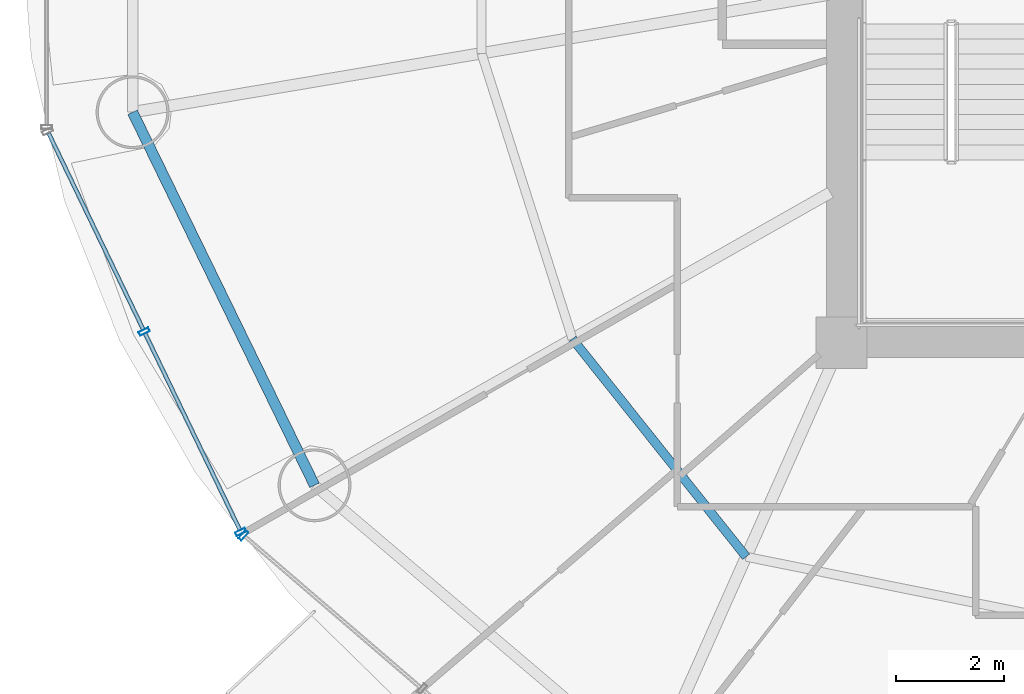
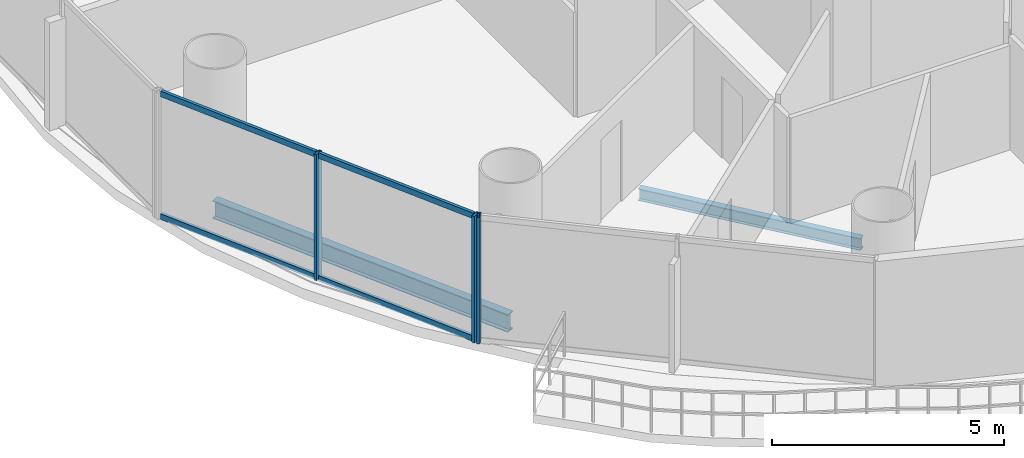
# One storey, part 3 of 27: 7 members, 2 beams, 2 elements without a shape of their own.
"""IFC4 building model written with IfcOpenShell, lengths in metres."""

import ifcopenshell
import ifcopenshell.guid

model = None  # the IFC model being written
_history = None  # IfcOwnerHistory: only IFC2X3 demands one
_inside = {}  # id of a spatial element -> (the spatial element, [elements in it])
_under = {}  # id of a project, library or spatial element -> (it, [spatial elements below it])
_declared = {}  # id of a project -> (the project, [libraries it declares])
_typed = {}  # id of a type object -> (the type object, [elements of that type])
_made_of = {}  # id of a material, layer set ... -> (it, [elements and type objects made of it])


def new_model(schema):
    """Start an empty IFC model of exactly this schema.

    Asked for "IFC4X3", IfcOpenShell would pick the latest addendum, in which some entities
    have other attributes; the version numbers below select the first issue.
    IFC2X3 requires an IfcOwnerHistory on every rooted entity: one is made here for all.
    """
    global model, _history
    if schema == "IFC4X3":
        model = ifcopenshell.file(schema_version=(4, 3, 0, 0))
    else:
        model = ifcopenshell.file(schema=schema)
    _inside.clear()
    _under.clear()
    _declared.clear()
    _typed.clear()
    _made_of.clear()
    _history = None
    if model.schema == "IFC2X3":
        org = make("IfcOrganization", Name="unknown")
        user = make(
            "IfcPersonAndOrganization",
            ThePerson=make("IfcPerson", FamilyName="unknown"),
            TheOrganization=org,
        )
        app = make(
            "IfcApplication",
            ApplicationDeveloper=org,
            Version="unknown",
            ApplicationFullName="unknown",
            ApplicationIdentifier="unknown",
        )
        _history = make(
            "IfcOwnerHistory",
            OwningUser=user,
            OwningApplication=app,
            ChangeAction="ADDED",
            CreationDate=0,
        )
    return model


def make(cls, **values):
    """One entity of the class cls with the attributes given. An attribute that is None is left unset."""
    return model.create_entity(
        cls, **{name: value for name, value in values.items() if value is not None}
    )


def rooted(cls, **values):
    """An entity with a GlobalId (a new one), such as an element, a storey or a relation."""
    return make(cls, GlobalId=ifcopenshell.guid.new(), OwnerHistory=_history, **values)


def si_unit(unit_type, name, prefix=None):
    """IfcSIUnit, for example si_unit("LENGTHUNIT", "METRE", prefix="MILLI")."""
    return make("IfcSIUnit", UnitType=unit_type, Prefix=prefix, Name=name)


def assignment(units):
    """IfcUnitAssignment: the units of a project."""
    return None if units is None else make("IfcUnitAssignment", Units=units)


def point(xyz):
    """IfcCartesianPoint."""
    return None if xyz is None else make("IfcCartesianPoint", Coordinates=xyz)


def direction(xyz):
    """IfcDirection."""
    return None if xyz is None else make("IfcDirection", DirectionRatios=xyz)


def frame(location, z_axis=None, x_axis=None):
    """IfcAxis2Placement3D, a coordinate frame: its origin and axes. An axis left out is left unset."""
    return make(
        "IfcAxis2Placement3D",
        Location=point(location),
        Axis=direction(z_axis),
        RefDirection=direction(x_axis),
    )


def frame_2d(location, x_axis=None):
    """IfcAxis2Placement2D, a coordinate frame in the plane: its origin and x axis."""
    return make(
        "IfcAxis2Placement2D", Location=point(location), RefDirection=direction(x_axis)
    )


def origin():
    """The frame at (0, 0, 0) with its axes left unset."""
    return frame((0.0, 0.0, 0.0))


def origin_2d():
    """The frame at (0, 0) in the plane with its x axis left unset."""
    return frame_2d((0.0, 0.0))


def place(relative_to, where):
    """IfcLocalPlacement: puts the frame where relative to a parent placement (None: the world)."""
    return make(
        "IfcLocalPlacement", PlacementRelTo=relative_to, RelativePlacement=where
    )


def context(
    kind, dimensions, precision=None, world=None, true_north=None, identifier=None
):
    """IfcGeometricRepresentationContext, for example the 3D "Model" context."""
    return make(
        "IfcGeometricRepresentationContext",
        ContextIdentifier=identifier,
        ContextType=kind,
        CoordinateSpaceDimension=dimensions,
        Precision=precision,
        WorldCoordinateSystem=world,
        TrueNorth=true_north,
    )


def subcontext(parent, identifier, kind, view, scale=None):
    """IfcGeometricRepresentationSubContext, for example "Body" below "Model"."""
    return make(
        "IfcGeometricRepresentationSubContext",
        ContextIdentifier=identifier,
        ContextType=kind,
        ParentContext=parent,
        TargetScale=scale,
        TargetView=view,
    )


def project(units=None, contexts=None):
    """IfcProject with its units and contexts."""
    return rooted(
        "IfcProject",
        Name="project",
        RepresentationContexts=contexts,
        UnitsInContext=assignment(units),
    )


def spatial(cls, under=None, at=None, **own):
    """A site, building, storey or space (cls), placed at a placement, below another one or the project."""
    s = rooted(cls, ObjectPlacement=at, **own)
    if under is not None:
        _under.setdefault(under.id(), (under, []))[1].append(s)
    return s


def profile(cls, at=None, kind="AREA", **sizes):
    """A parametric profile (cls). Its sizes go by their IFC names, for example OverallWidth=200.0."""
    return make(cls, ProfileType=kind, Position=at, **sizes)


def hollow_rectangle(**sizes):
    """IfcRectangleHollowProfileDef."""
    return profile("IfcRectangleHollowProfileDef", **sizes)


def i_section(**sizes):
    """IfcIShapeProfileDef."""
    return profile("IfcIShapeProfileDef", **sizes)


def extrude(swept, where, along, depth):
    """IfcExtrudedAreaSolid: the profile swept, set in the frame where, extruded along a direction by depth."""
    return make(
        "IfcExtrudedAreaSolid",
        SweptArea=swept,
        Position=where,
        ExtrudedDirection=direction(along),
        Depth=depth,
    )


def shape(context_of_items, identifier, shape_type, items):
    """IfcShapeRepresentation: the items that make up one representation, for example the "Body"."""
    return make(
        "IfcShapeRepresentation",
        ContextOfItems=context_of_items,
        RepresentationIdentifier=identifier,
        RepresentationType=shape_type,
        Items=items,
    )


def source(mapping_origin, context_of_items, identifier, shape_type, items):
    """IfcRepresentationMap: a shape defined once, which mapped items show again and again."""
    return make(
        "IfcRepresentationMap",
        MappingOrigin=mapping_origin,
        MappedRepresentation=shape(context_of_items, identifier, shape_type, items),
    )


def transform(
    local_origin,
    x_axis=None,
    y_axis=None,
    z_axis=None,
    scale=None,
    scale2=None,
    scale3=None,
    uniform=True,
):
    """IfcCartesianTransformationOperator3D, or its non-uniform kind. x_axis, y_axis, z_axis: its Axis1, 2, 3."""
    if uniform:
        return make(
            "IfcCartesianTransformationOperator3D",
            Axis1=direction(x_axis),
            Axis2=direction(y_axis),
            LocalOrigin=point(local_origin),
            Scale=scale,
            Axis3=direction(z_axis),
        )
    return make(
        "IfcCartesianTransformationOperator3DnonUniform",
        Axis1=direction(x_axis),
        Axis2=direction(y_axis),
        LocalOrigin=point(local_origin),
        Scale=scale,
        Axis3=direction(z_axis),
        Scale2=scale2,
        Scale3=scale3,
    )


def mapped(mapping_source, mapping_target):
    """IfcMappedItem: shows the shape of a source again, moved by a transform."""
    return make(
        "IfcMappedItem", MappingSource=mapping_source, MappingTarget=mapping_target
    )


def material(Name=None, Category=None):
    """IfcMaterial."""
    return make("IfcMaterial", Name=Name, Category=Category)


def material_profile(
    of_material, cross_section, Name=None, Category=None, Priority=None
):
    """IfcMaterialProfile: a cross section and its material."""
    return make(
        "IfcMaterialProfile",
        Name=Name,
        Material=of_material,
        Profile=cross_section,
        Priority=Priority,
        Category=Category,
    )


def profile_set(profiles, Name=None, composite=None):
    """IfcMaterialProfileSet."""
    return make(
        "IfcMaterialProfileSet",
        Name=Name,
        MaterialProfiles=profiles,
        CompositeProfile=composite,
    )


def made_of(thing, what):
    """Note that an element or type object is made of a material, layer set ...; save() writes the relation."""
    if what is not None:
        _made_of.setdefault(what.id(), (what, []))[1].append(thing)
    return thing


def type_object(cls, material=None, **own):
    """A type object (cls), such as IfcWallType, which elements share."""
    return made_of(rooted(cls, **own), material)


def element(
    cls,
    number,
    at=None,
    inside=None,
    cuts=None,
    type_object=None,
    material=None,
    context=None,
    identifier="Body",
    shape_type=None,
    held_by="IfcProductDefinitionShape",
    body=None,
    shapes=None,
    **own,
):
    """One element of the class cls, such as IfcWall. Its Tag is "e" and its number.

    at: its placement. inside: the storey or other place that contains it. cuts: it is an
    opening in that element (IfcRelVoidsElement). A single representation is given by context,
    identifier, shape_type and body (its items); several are given by shapes. held_by: the class
    of the entity that holds the representations. save() writes the other relations.
    """
    e = rooted(cls, Tag="e%d" % number, ObjectPlacement=at, **own)
    if body is not None:
        shapes = [shape(context, identifier, shape_type, body)]
    if shapes is not None:
        e.Representation = make(held_by, Representations=shapes)
    if inside is not None:
        _inside.setdefault(inside.id(), (inside, []))[1].append(e)
    if cuts is not None:
        rooted(
            "IfcRelVoidsElement", RelatingBuildingElement=cuts, RelatedOpeningElement=e
        )
    if type_object is not None:
        _typed.setdefault(type_object.id(), (type_object, []))[1].append(e)
    return made_of(e, material)


def aggregate(whole, parts):
    """IfcRelAggregates: a whole, such as a stair, and the parts it consists of."""
    return rooted("IfcRelAggregates", RelatingObject=whole, RelatedObjects=parts)


def save(model, path):
    """Write the relations noted so far, then the file.

    IfcRelAggregates (storeys below a building ...), IfcRelContainedInSpatialStructure (elements
    in a storey), IfcRelDefinesByType, IfcRelAssociatesMaterial and IfcRelDeclares: one each for
    every whole, place, type object, material and project.
    """
    for whole, parts in _under.values():
        aggregate(whole, parts)
    for where, things in _inside.values():
        rooted(
            "IfcRelContainedInSpatialStructure",
            RelatedElements=things,
            RelatingStructure=where,
        )
    for kind, things in _typed.values():
        rooted("IfcRelDefinesByType", RelatedObjects=things, RelatingType=kind)
    for what, things in _made_of.values():
        rooted("IfcRelAssociatesMaterial", RelatedObjects=things, RelatingMaterial=what)
    for by, libraries in _declared.values():
        rooted("IfcRelDeclares", RelatingContext=by, RelatedDefinitions=libraries)
    model.write(path)


model = new_model("IFC4")

# Units and contexts
model_context = context("Model", 3, precision=1e-05, world=origin(), true_north=direction((-0.2419218956, 0.970295726276)))
body_context = subcontext(model_context, "Body", "Model", "MODEL_VIEW")
ifc_project = project(units=[si_unit("LENGTHUNIT", "METRE"), si_unit("AREAUNIT", "SQUARE_METRE"), si_unit("VOLUMEUNIT", "CUBIC_METRE"), si_unit("PLANEANGLEUNIT", "RADIAN"), si_unit("MASSUNIT", "GRAM", prefix="KILO")], contexts=[model_context])

# Site, building, storey
site_placement = place(None, origin())
site = spatial("IfcSite", under=ifc_project, at=site_placement, CompositionType="ELEMENT")
building_placement = place(site_placement, origin())
building = spatial("IfcBuilding", under=site, at=building_placement, Name="Cobrevalo Terracotta Tower", CompositionType="ELEMENT")
storey_placement = place(building_placement, frame((0.0, 0.0, 157.0)))
storey = spatial("IfcBuildingStorey", under=building, at=storey_placement, Name="L41", CompositionType="ELEMENT", Elevation=157.0)

# Beams
ifc_material_1 = material(Name="Steel S355", Category="steel")
ifc_material_profile_1 = material_profile(ifc_material_1, i_section(OverallWidth=0.1650390625, OverallDepth=0.31005859375, WebThickness=0.005859375, FlangeThickness=0.009765625, at=origin_2d()), Name="W 310x38.7")
ifc_profile_set_1 = profile_set([ifc_material_profile_1], Name="Steel S355")
beam_type_1 = type_object("IfcBeamType", Name="Structural Joist W 310x38.7 (Steel S355)", PredefinedType="JOIST", material=ifc_profile_set_1)
beam_1_placement = place(storey_placement, frame((24.022705078125, 18.868896484375, -0.425048828125), z_axis=(0.623382939397, -0.781916690492, 0.0), x_axis=(0.781916690492, 0.623382939397, 0.0)))
element("IfcBeam", 1, at=beam_1_placement, inside=storey, type_object=beam_type_1, Name="L41 circumferential secondary floor joist 10", PredefinedType="JOIST", context=body_context, shape_type="SweptSolid", body=[
    extrude(i_section(OverallWidth=0.1650390625, OverallDepth=0.31005859375, WebThickness=0.005859375, FlangeThickness=0.009765625, at=origin_2d()), origin(), (0.0, 0.0, 1.0), 5.154296875),
])
ifc_material_profile_2 = material_profile(ifc_material_1, i_section(OverallWidth=0.194091796875, OverallDepth=0.468994140625, WebThickness=0.011474609375, FlangeThickness=0.0205078125, at=origin_2d()), Name="W 460x106")
ifc_profile_set_2 = profile_set([ifc_material_profile_2], Name="Steel S355")
beam_type_2 = type_object("IfcBeamType", Name="Structural Spandrel W 460x106 (Steel S355)", PredefinedType="SPANDREL", material=ifc_profile_set_2)
beam_2_placement = place(storey_placement, frame((15.88330078125, 23.06396484375, -0.50439453125), z_axis=(0.438380418332, -0.898789524206, 0.0), x_axis=(0.898789524206, 0.438380418332, 0.0)))
element("IfcBeam", 2, at=beam_2_placement, inside=storey, type_object=beam_type_2, Name="L41 perimeter ring spandrel 09", PredefinedType="SPANDREL", context=body_context, shape_type="SweptSolid", body=[
    extrude(i_section(OverallWidth=0.194091796875, OverallDepth=0.468994140625, WebThickness=0.011474609375, FlangeThickness=0.0205078125, at=origin_2d()), origin(), (0.0, 0.0, 1.0), 7.680419921875),
])

# Curtain wall, members
ifc_material_2 = material(Name="Anodized aluminium", Category="aluminium")
curtain_wall_type = type_object("IfcCurtainWallType", Name="Mid-tower high-wind unitised curtain wall CW-U2", PredefinedType="NOTDEFINED", material=ifc_material_2)
curtain_wall_1_placement = place(storey_placement, origin())
curtain_wall_1 = element("IfcCurtainWall", 3, at=curtain_wall_1_placement, inside=storey, type_object=curtain_wall_type, Name="L41 curtain wall CW-L41-S09", PredefinedType="NOTDEFINED")
ifc_material_profile_3 = material_profile(ifc_material_2, hollow_rectangle(XDim=0.074951171875, YDim=0.199951171875, WallThickness=0.0048828125, at=origin_2d()), Name="CWM 75x200")
ifc_profile_set_3 = profile_set([ifc_material_profile_3], Name="Anodized aluminium")
member_type_1 = type_object("IfcMemberType", Name="Lower/mid tower unitised mullion 75x200", PredefinedType="MULLION", material=ifc_profile_set_3)
shared_shape_1 = source(origin(), body_context, "Body", "SweptSolid", [
    extrude(hollow_rectangle(XDim=0.074951171875, YDim=0.199951171875, WallThickness=0.0048828125, at=origin_2d()), origin(), (0.0, 0.0, 1.0), 3.330078125),
])
member_1_placement = place(storey_placement, frame((16.098876953125, 19.00439453125, 0.0), z_axis=(0.0, 0.0, 1.0), x_axis=(0.434209440271, -0.900811945957, 0.0)))
member_1 = element("IfcMember", 4, at=member_1_placement, type_object=member_type_1, Name="CW-L41-S09 vertical mullion 02", PredefinedType="MULLION", context=body_context, shape_type="MappedRepresentation", body=[
    mapped(shared_shape_1, transform((0.0, 0.0, 0.0), scale=1.0)),
])
member_2_placement = place(storey_placement, frame((17.885986328125, 15.296875, 0.0), z_axis=(0.0, 0.0, 1.0), x_axis=(0.434209440271, -0.900811945957, 0.0)))
member_2 = element("IfcMember", 5, at=member_2_placement, type_object=member_type_1, Name="CW-L41-S09 vertical mullion 03", PredefinedType="MULLION", context=body_context, shape_type="MappedRepresentation", body=[
    mapped(shared_shape_1, transform((0.0, 0.0, 0.0), scale=1.0)),
])

# Curtain wall, member
curtain_wall_2_placement = place(storey_placement, origin())
curtain_wall_2 = element("IfcCurtainWall", 6, at=curtain_wall_2_placement, inside=storey, type_object=curtain_wall_type, Name="L41 curtain wall CW-L41-S10", PredefinedType="NOTDEFINED")
member_3_placement = place(storey_placement, frame((17.933837890625, 15.234619140625, 0.0), z_axis=(0.0, 0.0, 1.0), x_axis=(0.758441546142, -0.65174106905, 0.0)))
member_3 = element("IfcMember", 7, at=member_3_placement, type_object=member_type_1, Name="CW-L41-S10 vertical mullion 01", PredefinedType="MULLION", context=body_context, shape_type="MappedRepresentation", body=[
    mapped(shared_shape_1, transform((0.0, 0.0, 0.0), scale=1.0)),
])
aggregate(curtain_wall_2, [member_3])

# Member
ifc_material_profile_4 = material_profile(ifc_material_2, hollow_rectangle(XDim=0.074951171875, YDim=0.14990234375, WallThickness=0.00439453125, at=origin_2d()), Name="CWT 75x150")
ifc_profile_set_4 = profile_set([ifc_material_profile_4], Name="Anodized aluminium")
member_type_2 = type_object("IfcMemberType", Name="Tower unitised aluminium transom 75x150", PredefinedType="USERDEFINED", material=ifc_profile_set_4)
shared_shape_2 = source(origin(), body_context, "Body", "SweptSolid", [
    extrude(hollow_rectangle(XDim=0.074951171875, YDim=0.14990234375, WallThickness=0.00439453125, at=origin_2d()), origin(), (0.0, 0.0, 1.0), 4.035888671875),
])
member_4_placement = place(storey_placement, frame((14.3291015625, 22.676025390625, 0.050048828125), z_axis=(0.434221176581, -0.900806288726, 0.0), x_axis=(0.900806288726, 0.434221176581, 0.0)))
member_4 = element("IfcMember", 8, at=member_4_placement, type_object=member_type_2, Name="CW-L41-S09 transom B01-T1", ObjectType="TRANSOM", PredefinedType="USERDEFINED", context=body_context, shape_type="MappedRepresentation", body=[
    mapped(shared_shape_2, transform((0.0, 0.0, 0.0), scale=1.0)),
])

member_5_placement = place(storey_placement, frame((14.3291015625, 22.676025390625, 3.280029296875), z_axis=(0.434221176581, -0.900806288726, 0.0), x_axis=(0.900806288726, 0.434221176581, 0.0)))
member_5 = element("IfcMember", 9, at=member_5_placement, type_object=member_type_2, Name="CW-L41-S09 transom B01-T2", ObjectType="TRANSOM", PredefinedType="USERDEFINED", context=body_context, shape_type="MappedRepresentation", body=[
    mapped(shared_shape_2, transform((0.0, 0.0, 0.0), scale=1.0)),
])

member_6_placement = place(storey_placement, frame((16.1162109375, 18.96826171875, 0.050048828125), z_axis=(0.434221176581, -0.900806288726, 0.0), x_axis=(0.900806288726, 0.434221176581, 0.0)))
member_6 = element("IfcMember", 10, at=member_6_placement, type_object=member_type_2, Name="CW-L41-S09 transom B02-T1", ObjectType="TRANSOM", PredefinedType="USERDEFINED", context=body_context, shape_type="MappedRepresentation", body=[
    mapped(shared_shape_2, transform((0.0, 0.0, 0.0), scale=1.0)),
])

member_7_placement = place(storey_placement, frame((16.1162109375, 18.96826171875, 3.280029296875), z_axis=(0.434221176581, -0.900806288726, 0.0), x_axis=(0.900806288726, 0.434221176581, 0.0)))
member_7 = element("IfcMember", 11, at=member_7_placement, type_object=member_type_2, Name="CW-L41-S09 transom B02-T2", ObjectType="TRANSOM", PredefinedType="USERDEFINED", context=body_context, shape_type="MappedRepresentation", body=[
    mapped(shared_shape_2, transform((0.0, 0.0, 0.0), scale=1.0)),
])

aggregate(curtain_wall_1, [member_1, member_2, member_4, member_5, member_6, member_7])

save(model, "model.ifc")
